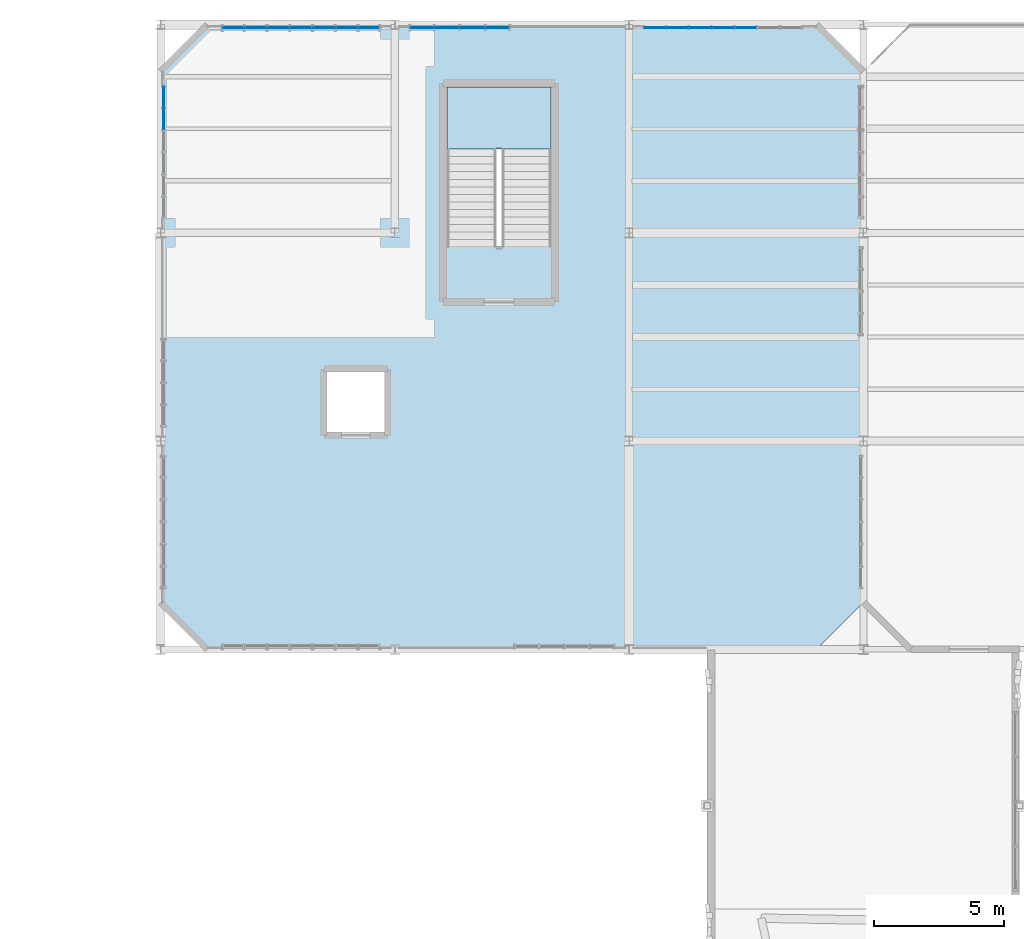
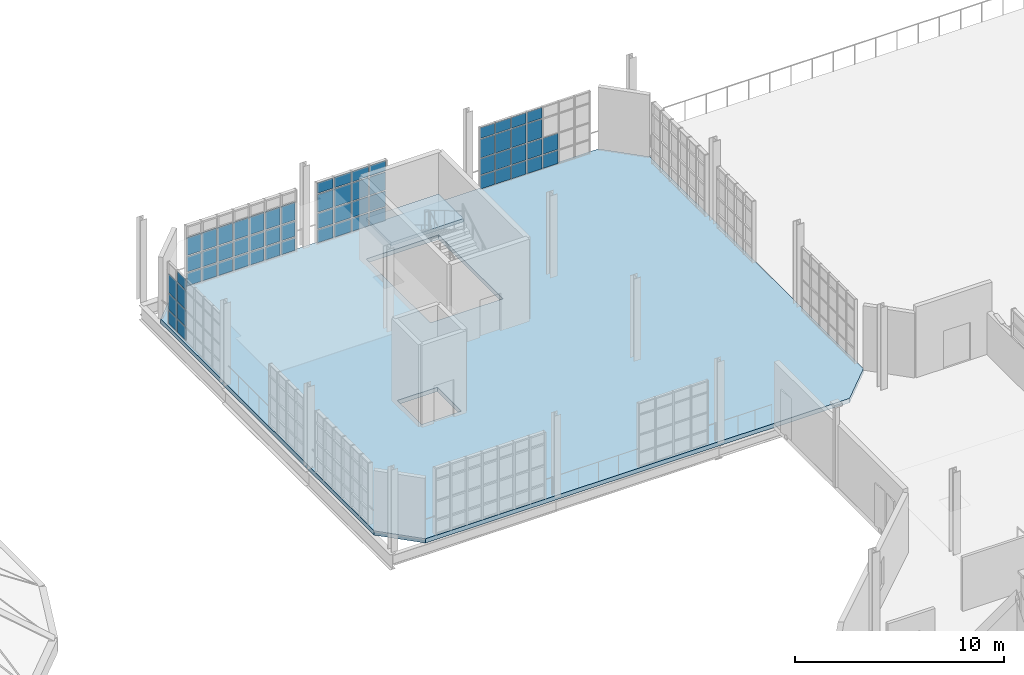
# One storey, part 72 of 85: 62 plates, 2 slabs, 5 elements without a shape of their own.
"""IFC4 building model written with IfcOpenShell, lengths in metres."""

import ifcopenshell
import ifcopenshell.guid

model = None  # the IFC model being written
_history = None  # IfcOwnerHistory: only IFC2X3 demands one
_inside = {}  # id of a spatial element -> (the spatial element, [elements in it])
_under = {}  # id of a project, library or spatial element -> (it, [spatial elements below it])
_declared = {}  # id of a project -> (the project, [libraries it declares])
_typed = {}  # id of a type object -> (the type object, [elements of that type])
_made_of = {}  # id of a material, layer set ... -> (it, [elements and type objects made of it])


def new_model(schema):
    """Start an empty IFC model of exactly this schema.

    Asked for "IFC4X3", IfcOpenShell would pick the latest addendum, in which some entities
    have other attributes; the version numbers below select the first issue.
    IFC2X3 requires an IfcOwnerHistory on every rooted entity: one is made here for all.
    """
    global model, _history
    if schema == "IFC4X3":
        model = ifcopenshell.file(schema_version=(4, 3, 0, 0))
    else:
        model = ifcopenshell.file(schema=schema)
    _inside.clear()
    _under.clear()
    _declared.clear()
    _typed.clear()
    _made_of.clear()
    _history = None
    if model.schema == "IFC2X3":
        org = make("IfcOrganization", Name="unknown")
        user = make(
            "IfcPersonAndOrganization",
            ThePerson=make("IfcPerson", FamilyName="unknown"),
            TheOrganization=org,
        )
        app = make(
            "IfcApplication",
            ApplicationDeveloper=org,
            Version="unknown",
            ApplicationFullName="unknown",
            ApplicationIdentifier="unknown",
        )
        _history = make(
            "IfcOwnerHistory",
            OwningUser=user,
            OwningApplication=app,
            ChangeAction="ADDED",
            CreationDate=0,
        )
    return model


def make(cls, **values):
    """One entity of the class cls with the attributes given. An attribute that is None is left unset."""
    return model.create_entity(
        cls, **{name: value for name, value in values.items() if value is not None}
    )


def rooted(cls, **values):
    """An entity with a GlobalId (a new one), such as an element, a storey or a relation."""
    return make(cls, GlobalId=ifcopenshell.guid.new(), OwnerHistory=_history, **values)


def si_unit(unit_type, name, prefix=None):
    """IfcSIUnit, for example si_unit("LENGTHUNIT", "METRE", prefix="MILLI")."""
    return make("IfcSIUnit", UnitType=unit_type, Prefix=prefix, Name=name)


def assignment(units):
    """IfcUnitAssignment: the units of a project."""
    return None if units is None else make("IfcUnitAssignment", Units=units)


def point(xyz):
    """IfcCartesianPoint."""
    return None if xyz is None else make("IfcCartesianPoint", Coordinates=xyz)


def direction(xyz):
    """IfcDirection."""
    return None if xyz is None else make("IfcDirection", DirectionRatios=xyz)


def frame(location, z_axis=None, x_axis=None):
    """IfcAxis2Placement3D, a coordinate frame: its origin and axes. An axis left out is left unset."""
    return make(
        "IfcAxis2Placement3D",
        Location=point(location),
        Axis=direction(z_axis),
        RefDirection=direction(x_axis),
    )


def frame_2d(location, x_axis=None):
    """IfcAxis2Placement2D, a coordinate frame in the plane: its origin and x axis."""
    return make(
        "IfcAxis2Placement2D", Location=point(location), RefDirection=direction(x_axis)
    )


def origin():
    """The frame at (0, 0, 0) with its axes left unset."""
    return frame((0.0, 0.0, 0.0))


def origin_2d():
    """The frame at (0, 0) in the plane with its x axis left unset."""
    return frame_2d((0.0, 0.0))


def place(relative_to, where):
    """IfcLocalPlacement: puts the frame where relative to a parent placement (None: the world)."""
    return make(
        "IfcLocalPlacement", PlacementRelTo=relative_to, RelativePlacement=where
    )


def context(
    kind, dimensions, precision=None, world=None, true_north=None, identifier=None
):
    """IfcGeometricRepresentationContext, for example the 3D "Model" context."""
    return make(
        "IfcGeometricRepresentationContext",
        ContextIdentifier=identifier,
        ContextType=kind,
        CoordinateSpaceDimension=dimensions,
        Precision=precision,
        WorldCoordinateSystem=world,
        TrueNorth=true_north,
    )


def subcontext(parent, identifier, kind, view, scale=None):
    """IfcGeometricRepresentationSubContext, for example "Body" below "Model"."""
    return make(
        "IfcGeometricRepresentationSubContext",
        ContextIdentifier=identifier,
        ContextType=kind,
        ParentContext=parent,
        TargetScale=scale,
        TargetView=view,
    )


def project(units=None, contexts=None):
    """IfcProject with its units and contexts."""
    return rooted(
        "IfcProject",
        Name="project",
        RepresentationContexts=contexts,
        UnitsInContext=assignment(units),
    )


def spatial(cls, under=None, at=None, **own):
    """A site, building, storey or space (cls), placed at a placement, below another one or the project."""
    s = rooted(cls, ObjectPlacement=at, **own)
    if under is not None:
        _under.setdefault(under.id(), (under, []))[1].append(s)
    return s


def polyline(points):
    """IfcPolyline through the points."""
    return make("IfcPolyline", Points=[point(p) for p in points])


def profile(cls, at=None, kind="AREA", **sizes):
    """A parametric profile (cls). Its sizes go by their IFC names, for example OverallWidth=200.0."""
    return make(cls, ProfileType=kind, Position=at, **sizes)


def rectangle(**sizes):
    """IfcRectangleProfileDef."""
    return profile("IfcRectangleProfileDef", **sizes)


def outline(outer, holes=None, kind="AREA"):
    """IfcArbitraryClosedProfileDef: a profile drawn as a closed curve; with holes, ...WithVoids."""
    if holes is None:
        return make("IfcArbitraryClosedProfileDef", ProfileType=kind, OuterCurve=outer)
    return make(
        "IfcArbitraryProfileDefWithVoids",
        ProfileType=kind,
        OuterCurve=outer,
        InnerCurves=holes,
    )


def extrude(swept, where, along, depth):
    """IfcExtrudedAreaSolid: the profile swept, set in the frame where, extruded along a direction by depth."""
    return make(
        "IfcExtrudedAreaSolid",
        SweptArea=swept,
        Position=where,
        ExtrudedDirection=direction(along),
        Depth=depth,
    )


def shape(context_of_items, identifier, shape_type, items):
    """IfcShapeRepresentation: the items that make up one representation, for example the "Body"."""
    return make(
        "IfcShapeRepresentation",
        ContextOfItems=context_of_items,
        RepresentationIdentifier=identifier,
        RepresentationType=shape_type,
        Items=items,
    )


def material(Name=None, Category=None):
    """IfcMaterial."""
    return make("IfcMaterial", Name=Name, Category=Category)


def layer(
    of_material, thickness, ventilated=None, Name=None, Category=None, Priority=None
):
    """IfcMaterialLayer: one layer of a wall or slab, of a material (None: an air gap)."""
    return make(
        "IfcMaterialLayer",
        Material=of_material,
        LayerThickness=thickness,
        IsVentilated=ventilated,
        Name=Name,
        Category=Category,
        Priority=Priority,
    )


def layer_set(layers, Name=None):
    """IfcMaterialLayerSet."""
    return make("IfcMaterialLayerSet", MaterialLayers=layers, LayerSetName=Name)


def made_of(thing, what):
    """Note that an element or type object is made of a material, layer set ...; save() writes the relation."""
    if what is not None:
        _made_of.setdefault(what.id(), (what, []))[1].append(thing)
    return thing


def type_object(cls, material=None, **own):
    """A type object (cls), such as IfcWallType, which elements share."""
    return made_of(rooted(cls, **own), material)


def element(
    cls,
    number,
    at=None,
    inside=None,
    cuts=None,
    type_object=None,
    material=None,
    context=None,
    identifier="Body",
    shape_type=None,
    held_by="IfcProductDefinitionShape",
    body=None,
    shapes=None,
    **own,
):
    """One element of the class cls, such as IfcWall. Its Tag is "e" and its number.

    at: its placement. inside: the storey or other place that contains it. cuts: it is an
    opening in that element (IfcRelVoidsElement). A single representation is given by context,
    identifier, shape_type and body (its items); several are given by shapes. held_by: the class
    of the entity that holds the representations. save() writes the other relations.
    """
    e = rooted(cls, Tag="e%d" % number, ObjectPlacement=at, **own)
    if body is not None:
        shapes = [shape(context, identifier, shape_type, body)]
    if shapes is not None:
        e.Representation = make(held_by, Representations=shapes)
    if inside is not None:
        _inside.setdefault(inside.id(), (inside, []))[1].append(e)
    if cuts is not None:
        rooted(
            "IfcRelVoidsElement", RelatingBuildingElement=cuts, RelatedOpeningElement=e
        )
    if type_object is not None:
        _typed.setdefault(type_object.id(), (type_object, []))[1].append(e)
    return made_of(e, material)


def aggregate(whole, parts):
    """IfcRelAggregates: a whole, such as a stair, and the parts it consists of."""
    return rooted("IfcRelAggregates", RelatingObject=whole, RelatedObjects=parts)


def save(model, path):
    """Write the relations noted so far, then the file.

    IfcRelAggregates (storeys below a building ...), IfcRelContainedInSpatialStructure (elements
    in a storey), IfcRelDefinesByType, IfcRelAssociatesMaterial and IfcRelDeclares: one each for
    every whole, place, type object, material and project.
    """
    for whole, parts in _under.values():
        aggregate(whole, parts)
    for where, things in _inside.values():
        rooted(
            "IfcRelContainedInSpatialStructure",
            RelatedElements=things,
            RelatingStructure=where,
        )
    for kind, things in _typed.values():
        rooted("IfcRelDefinesByType", RelatedObjects=things, RelatingType=kind)
    for what, things in _made_of.values():
        rooted("IfcRelAssociatesMaterial", RelatedObjects=things, RelatingMaterial=what)
    for by, libraries in _declared.values():
        rooted("IfcRelDeclares", RelatingContext=by, RelatedDefinitions=libraries)
    model.write(path)


model = new_model("IFC4")

# Units and contexts
model_context = context("Model", 3, precision=1e-05, world=origin(), true_north=direction((0.0, 1.0)))
body_context = subcontext(model_context, "Body", "Model", "MODEL_VIEW")
ifc_project = project(units=[si_unit("LENGTHUNIT", "METRE"), si_unit("AREAUNIT", "SQUARE_METRE"), si_unit("VOLUMEUNIT", "CUBIC_METRE"), si_unit("PLANEANGLEUNIT", "RADIAN"), si_unit("MASSUNIT", "GRAM", prefix="KILO"), si_unit("THERMODYNAMICTEMPERATUREUNIT", "KELVIN"), si_unit("POWERUNIT", "WATT")], contexts=[model_context])

# Site, building, storey
site_placement = place(None, origin())
site = spatial("IfcSite", under=ifc_project, at=site_placement, CompositionType="ELEMENT")
building_placement = place(site_placement, origin())
building = spatial("IfcBuilding", under=site, at=building_placement, Name="Zelmaris Science Centre", CompositionType="ELEMENT")
storey_placement = place(building_placement, frame((0.0, 0.0, 20.39990234375)))
storey = spatial("IfcBuildingStorey", under=building, at=storey_placement, Name="L04", CompositionType="ELEMENT", Elevation=20.39990234375)

# Curtain wall, plates
ifc_material_1 = material(Name="Anodised architectural aluminium 6063-T6", Category="aluminium")
ifc_layer_1 = layer(ifc_material_1, 0.18994140625, Name="Anodised architectural aluminium 6063-T6")
ifc_layer_set_1 = layer_set([ifc_layer_1], Name="Anodised architectural aluminium 6063-T6")
curtain_wall_type_1 = type_object("IfcCurtainWallType", Name="Curtain Wall CW-01", PredefinedType="USERDEFINED", material=ifc_layer_set_1)
curtain_wall_1_placement = place(storey_placement, origin())
curtain_wall_1 = element("IfcCurtainWall", 1, at=curtain_wall_1_placement, inside=storey, type_object=curtain_wall_type_1, Name="L04 Unitised curtain wall 341", ObjectType="GLAZED CURTAIN WALL", PredefinedType="USERDEFINED")
ifc_material_2 = material(Name="Laminated hurricane-rated low-E insulated glazing", Category="glass")
ifc_layer_2 = layer(ifc_material_2, 0.031982421875, Name="Laminated hurricane-rated low-E insulated glazing")
ifc_layer_set_2 = layer_set([ifc_layer_2], Name="Laminated hurricane-rated low-E insulated glazing")
plate_type_1 = type_object("IfcPlateType", Name="Curtain Glazing Panel CWP-1 32mm", PredefinedType="CURTAIN_PANEL", material=ifc_layer_set_2)
plate_1_placement = place(storey_placement, frame((56.795166015625, 87.8798828125, 0.05712890625), z_axis=(0.0, 0.0, 1.0), x_axis=(1.0, 0.0, 0.0)))
plate_1 = element("IfcPlate", 2, at=plate_1_placement, type_object=plate_type_1, Name="CW-01 panel 1.1", PredefinedType="CURTAIN_PANEL", context=body_context, shape_type="SweptSolid", body=[
    extrude(rectangle(XDim=0.766357421875, YDim=0.031982421875, at=origin_2d()), origin(), (0.0, 0.0, 1.0), 0.741943359375),
])
plate_2_placement = place(storey_placement, frame((56.795166015625, 87.8798828125, 0.87109375), z_axis=(0.0, 0.0, 1.0), x_axis=(1.0, 0.0, 0.0)))
plate_2 = element("IfcPlate", 3, at=plate_2_placement, type_object=plate_type_1, Name="CW-01 panel 1.2", PredefinedType="CURTAIN_PANEL", context=body_context, shape_type="SweptSolid", body=[
    extrude(rectangle(XDim=0.766357421875, YDim=0.031982421875, at=origin_2d()), origin(), (0.0, 0.0, 1.0), 0.885986328125),
])
plate_3_placement = place(storey_placement, frame((56.795166015625, 87.8798828125, 1.8291015625), z_axis=(0.0, 0.0, 1.0), x_axis=(1.0, 0.0, 0.0)))
plate_3 = element("IfcPlate", 4, at=plate_3_placement, type_object=plate_type_1, Name="CW-01 panel 1.3", PredefinedType="CURTAIN_PANEL", context=body_context, shape_type="SweptSolid", body=[
    extrude(rectangle(XDim=0.766357421875, YDim=0.031982421875, at=origin_2d()), origin(), (0.0, 0.0, 1.0), 1.035888671875),
])
plate_4_placement = place(storey_placement, frame((57.6513671875, 87.8798828125, 0.05712890625), z_axis=(0.0, 0.0, 1.0), x_axis=(1.0, 0.0, 0.0)))
plate_4 = element("IfcPlate", 5, at=plate_4_placement, type_object=plate_type_1, Name="CW-01 panel 2.1", PredefinedType="CURTAIN_PANEL", context=body_context, shape_type="SweptSolid", body=[
    extrude(rectangle(XDim=0.80224609375, YDim=0.031982421875, at=origin_2d()), origin(), (0.0, 0.0, 1.0), 0.741943359375),
])
plate_5_placement = place(storey_placement, frame((57.6513671875, 87.8798828125, 0.87109375), z_axis=(0.0, 0.0, 1.0), x_axis=(1.0, 0.0, 0.0)))
plate_5 = element("IfcPlate", 6, at=plate_5_placement, type_object=plate_type_1, Name="CW-01 panel 2.2", PredefinedType="CURTAIN_PANEL", context=body_context, shape_type="SweptSolid", body=[
    extrude(rectangle(XDim=0.80224609375, YDim=0.031982421875, at=origin_2d()), origin(), (0.0, 0.0, 1.0), 0.885986328125),
])
plate_6_placement = place(storey_placement, frame((57.6513671875, 87.8798828125, 1.8291015625), z_axis=(0.0, 0.0, 1.0), x_axis=(1.0, 0.0, 0.0)))
plate_6 = element("IfcPlate", 7, at=plate_6_placement, type_object=plate_type_1, Name="CW-01 panel 2.3", PredefinedType="CURTAIN_PANEL", context=body_context, shape_type="SweptSolid", body=[
    extrude(rectangle(XDim=0.80224609375, YDim=0.031982421875, at=origin_2d()), origin(), (0.0, 0.0, 1.0), 1.035888671875),
])
plate_7_placement = place(storey_placement, frame((58.525634765625, 87.8798828125, 0.05712890625), z_axis=(0.0, 0.0, 1.0), x_axis=(1.0, 0.0, 0.0)))
plate_7 = element("IfcPlate", 8, at=plate_7_placement, type_object=plate_type_1, Name="CW-01 panel 3.1", PredefinedType="CURTAIN_PANEL", context=body_context, shape_type="SweptSolid", body=[
    extrude(rectangle(XDim=0.80224609375, YDim=0.031982421875, at=origin_2d()), origin(), (0.0, 0.0, 1.0), 0.741943359375),
])
plate_8_placement = place(storey_placement, frame((58.525634765625, 87.8798828125, 0.87109375), z_axis=(0.0, 0.0, 1.0), x_axis=(1.0, 0.0, 0.0)))
plate_8 = element("IfcPlate", 9, at=plate_8_placement, type_object=plate_type_1, Name="CW-01 panel 3.2", PredefinedType="CURTAIN_PANEL", context=body_context, shape_type="SweptSolid", body=[
    extrude(rectangle(XDim=0.80224609375, YDim=0.031982421875, at=origin_2d()), origin(), (0.0, 0.0, 1.0), 0.885986328125),
])
plate_9_placement = place(storey_placement, frame((58.525634765625, 87.8798828125, 1.8291015625), z_axis=(0.0, 0.0, 1.0), x_axis=(1.0, 0.0, 0.0)))
plate_9 = element("IfcPlate", 10, at=plate_9_placement, type_object=plate_type_1, Name="CW-01 panel 3.3", PredefinedType="CURTAIN_PANEL", context=body_context, shape_type="SweptSolid", body=[
    extrude(rectangle(XDim=0.80224609375, YDim=0.031982421875, at=origin_2d()), origin(), (0.0, 0.0, 1.0), 1.035888671875),
])
plate_10_placement = place(storey_placement, frame((59.39990234375, 87.8798828125, 0.05712890625), z_axis=(0.0, 0.0, 1.0), x_axis=(1.0, 0.0, 0.0)))
plate_10 = element("IfcPlate", 11, at=plate_10_placement, type_object=plate_type_1, Name="CW-01 panel 4.1", PredefinedType="CURTAIN_PANEL", context=body_context, shape_type="SweptSolid", body=[
    extrude(rectangle(XDim=0.80224609375, YDim=0.031982421875, at=origin_2d()), origin(), (0.0, 0.0, 1.0), 0.741943359375),
])
plate_11_placement = place(storey_placement, frame((59.39990234375, 87.8798828125, 0.87109375), z_axis=(0.0, 0.0, 1.0), x_axis=(1.0, 0.0, 0.0)))
plate_11 = element("IfcPlate", 12, at=plate_11_placement, type_object=plate_type_1, Name="CW-01 panel 4.2", PredefinedType="CURTAIN_PANEL", context=body_context, shape_type="SweptSolid", body=[
    extrude(rectangle(XDim=0.80224609375, YDim=0.031982421875, at=origin_2d()), origin(), (0.0, 0.0, 1.0), 0.885986328125),
])
plate_12_placement = place(storey_placement, frame((59.39990234375, 87.8798828125, 1.8291015625), z_axis=(0.0, 0.0, 1.0), x_axis=(1.0, 0.0, 0.0)))
plate_12 = element("IfcPlate", 13, at=plate_12_placement, type_object=plate_type_1, Name="CW-01 panel 4.3", PredefinedType="CURTAIN_PANEL", context=body_context, shape_type="SweptSolid", body=[
    extrude(rectangle(XDim=0.80224609375, YDim=0.031982421875, at=origin_2d()), origin(), (0.0, 0.0, 1.0), 1.035888671875),
])
plate_13_placement = place(storey_placement, frame((60.274169921875, 87.8798828125, 0.05712890625), z_axis=(0.0, 0.0, 1.0), x_axis=(1.0, 0.0, 0.0)))
plate_13 = element("IfcPlate", 14, at=plate_13_placement, type_object=plate_type_1, Name="CW-01 panel 5.1", PredefinedType="CURTAIN_PANEL", context=body_context, shape_type="SweptSolid", body=[
    extrude(rectangle(XDim=0.80224609375, YDim=0.031982421875, at=origin_2d()), origin(), (0.0, 0.0, 1.0), 0.741943359375),
])
plate_14_placement = place(storey_placement, frame((60.274169921875, 87.8798828125, 0.87109375), z_axis=(0.0, 0.0, 1.0), x_axis=(1.0, 0.0, 0.0)))
plate_14 = element("IfcPlate", 15, at=plate_14_placement, type_object=plate_type_1, Name="CW-01 panel 5.2", PredefinedType="CURTAIN_PANEL", context=body_context, shape_type="SweptSolid", body=[
    extrude(rectangle(XDim=0.80224609375, YDim=0.031982421875, at=origin_2d()), origin(), (0.0, 0.0, 1.0), 0.885986328125),
])
plate_15_placement = place(storey_placement, frame((60.274169921875, 87.8798828125, 1.8291015625), z_axis=(0.0, 0.0, 1.0), x_axis=(1.0, 0.0, 0.0)))
plate_15 = element("IfcPlate", 16, at=plate_15_placement, type_object=plate_type_1, Name="CW-01 panel 5.3", PredefinedType="CURTAIN_PANEL", context=body_context, shape_type="SweptSolid", body=[
    extrude(rectangle(XDim=0.80224609375, YDim=0.031982421875, at=origin_2d()), origin(), (0.0, 0.0, 1.0), 1.035888671875),
])
plate_16_placement = place(storey_placement, frame((61.148681640625, 87.8798828125, 0.05712890625), z_axis=(0.0, 0.0, 1.0), x_axis=(1.0, 0.0, 0.0)))
plate_16 = element("IfcPlate", 17, at=plate_16_placement, type_object=plate_type_1, Name="CW-01 panel 6.1", PredefinedType="CURTAIN_PANEL", context=body_context, shape_type="SweptSolid", body=[
    extrude(rectangle(XDim=0.80224609375, YDim=0.031982421875, at=origin_2d()), origin(), (0.0, 0.0, 1.0), 0.741943359375),
])
plate_17_placement = place(storey_placement, frame((61.148681640625, 87.8798828125, 0.87109375), z_axis=(0.0, 0.0, 1.0), x_axis=(1.0, 0.0, 0.0)))
plate_17 = element("IfcPlate", 18, at=plate_17_placement, type_object=plate_type_1, Name="CW-01 panel 6.2", PredefinedType="CURTAIN_PANEL", context=body_context, shape_type="SweptSolid", body=[
    extrude(rectangle(XDim=0.80224609375, YDim=0.031982421875, at=origin_2d()), origin(), (0.0, 0.0, 1.0), 0.885986328125),
])
plate_18_placement = place(storey_placement, frame((61.148681640625, 87.8798828125, 1.8291015625), z_axis=(0.0, 0.0, 1.0), x_axis=(1.0, 0.0, 0.0)))
plate_18 = element("IfcPlate", 19, at=plate_18_placement, type_object=plate_type_1, Name="CW-01 panel 6.3", PredefinedType="CURTAIN_PANEL", context=body_context, shape_type="SweptSolid", body=[
    extrude(rectangle(XDim=0.80224609375, YDim=0.031982421875, at=origin_2d()), origin(), (0.0, 0.0, 1.0), 1.035888671875),
])
plate_19_placement = place(storey_placement, frame((62.0048828125, 87.8798828125, 0.05712890625), z_axis=(0.0, 0.0, 1.0), x_axis=(1.0, 0.0, 0.0)))
plate_19 = element("IfcPlate", 20, at=plate_19_placement, type_object=plate_type_1, Name="CW-01 panel 7.1", PredefinedType="CURTAIN_PANEL", context=body_context, shape_type="SweptSolid", body=[
    extrude(rectangle(XDim=0.766357421875, YDim=0.031982421875, at=origin_2d()), origin(), (0.0, 0.0, 1.0), 0.741943359375),
])
plate_20_placement = place(storey_placement, frame((62.0048828125, 87.8798828125, 0.87109375), z_axis=(0.0, 0.0, 1.0), x_axis=(1.0, 0.0, 0.0)))
plate_20 = element("IfcPlate", 21, at=plate_20_placement, type_object=plate_type_1, Name="CW-01 panel 7.2", PredefinedType="CURTAIN_PANEL", context=body_context, shape_type="SweptSolid", body=[
    extrude(rectangle(XDim=0.766357421875, YDim=0.031982421875, at=origin_2d()), origin(), (0.0, 0.0, 1.0), 0.885986328125),
])
plate_21_placement = place(storey_placement, frame((62.0048828125, 87.8798828125, 1.8291015625), z_axis=(0.0, 0.0, 1.0), x_axis=(1.0, 0.0, 0.0)))
plate_21 = element("IfcPlate", 22, at=plate_21_placement, type_object=plate_type_1, Name="CW-01 panel 7.3", PredefinedType="CURTAIN_PANEL", context=body_context, shape_type="SweptSolid", body=[
    extrude(rectangle(XDim=0.766357421875, YDim=0.031982421875, at=origin_2d()), origin(), (0.0, 0.0, 1.0), 1.035888671875),
])
aggregate(curtain_wall_1, [plate_1, plate_2, plate_3, plate_4, plate_5, plate_6, plate_7, plate_8, plate_9, plate_10, plate_11, plate_12, plate_13, plate_14, plate_15, plate_16, plate_17, plate_18, plate_19, plate_20, plate_21])

ifc_layer_3 = layer(ifc_material_1, 0.199951171875, Name="Anodised architectural aluminium 6063-T6")
ifc_layer_set_3 = layer_set([ifc_layer_3], Name="Anodised architectural aluminium 6063-T6")
curtain_wall_type_2 = type_object("IfcCurtainWallType", Name="Curtain Wall CW-02", PredefinedType="USERDEFINED", material=ifc_layer_set_3)
curtain_wall_2_placement = place(storey_placement, origin())
curtain_wall_2 = element("IfcCurtainWall", 23, at=curtain_wall_2_placement, inside=storey, type_object=curtain_wall_type_2, Name="L04 Unitised curtain wall 342", ObjectType="GLAZED CURTAIN WALL", PredefinedType="USERDEFINED")
ifc_layer_4 = layer(ifc_material_2, 0.028076171875, Name="Laminated hurricane-rated low-E insulated glazing")
ifc_layer_set_4 = layer_set([ifc_layer_4], Name="Laminated hurricane-rated low-E insulated glazing")
plate_type_2 = type_object("IfcPlateType", Name="Curtain Glazing Panel CWP-2 28mm", PredefinedType="CURTAIN_PANEL", material=ifc_layer_set_4)
plate_22_placement = place(storey_placement, frame((64.044189453125, 87.8798828125, 0.052001953125), z_axis=(0.0, 0.0, 1.0), x_axis=(1.0, 0.0, 0.0)))
plate_22 = element("IfcPlate", 24, at=plate_22_placement, type_object=plate_type_2, Name="CW-02 panel 1.1", PredefinedType="CURTAIN_PANEL", context=body_context, shape_type="SweptSolid", body=[
    extrude(rectangle(XDim=0.87451171875, YDim=0.028076171875, at=origin_2d()), origin(), (0.0, 0.0, 1.0), 0.74951171875),
])
plate_23_placement = place(storey_placement, frame((64.044189453125, 87.8798828125, 0.86865234375), z_axis=(0.0, 0.0, 1.0), x_axis=(1.0, 0.0, 0.0)))
plate_23 = element("IfcPlate", 25, at=plate_23_placement, type_object=plate_type_2, Name="CW-02 panel 1.2", PredefinedType="CURTAIN_PANEL", context=body_context, shape_type="SweptSolid", body=[
    extrude(rectangle(XDim=0.87451171875, YDim=0.028076171875, at=origin_2d()), origin(), (0.0, 0.0, 1.0), 0.89111328125),
])
plate_24_placement = place(storey_placement, frame((64.044189453125, 87.8798828125, 1.82666015625), z_axis=(0.0, 0.0, 1.0), x_axis=(1.0, 0.0, 0.0)))
plate_24 = element("IfcPlate", 26, at=plate_24_placement, type_object=plate_type_2, Name="CW-02 panel 1.3", PredefinedType="CURTAIN_PANEL", context=body_context, shape_type="SweptSolid", body=[
    extrude(rectangle(XDim=0.87451171875, YDim=0.028076171875, at=origin_2d()), origin(), (0.0, 0.0, 1.0), 1.041015625),
])
plate_25_placement = place(storey_placement, frame((64.044189453125, 87.8798828125, 2.9345703125), z_axis=(0.0, 0.0, 1.0), x_axis=(1.0, 0.0, 0.0)))
plate_25 = element("IfcPlate", 27, at=plate_25_placement, type_object=plate_type_2, Name="CW-02 panel 1.4", PredefinedType="CURTAIN_PANEL", context=body_context, shape_type="SweptSolid", body=[
    extrude(rectangle(XDim=0.87451171875, YDim=0.028076171875, at=origin_2d()), origin(), (0.0, 0.0, 1.0), 0.599609375),
])
plate_26_placement = place(storey_placement, frame((65.00244140625, 87.8798828125, 0.052001953125), z_axis=(0.0, 0.0, 1.0), x_axis=(1.0, 0.0, 0.0)))
plate_26 = element("IfcPlate", 28, at=plate_26_placement, type_object=plate_type_2, Name="CW-02 panel 2.1", PredefinedType="CURTAIN_PANEL", context=body_context, shape_type="SweptSolid", body=[
    extrude(rectangle(XDim=0.907958984375, YDim=0.028076171875, at=origin_2d()), origin(), (0.0, 0.0, 1.0), 0.74951171875),
])
plate_27_placement = place(storey_placement, frame((65.00244140625, 87.8798828125, 0.86865234375), z_axis=(0.0, 0.0, 1.0), x_axis=(1.0, 0.0, 0.0)))
plate_27 = element("IfcPlate", 29, at=plate_27_placement, type_object=plate_type_2, Name="CW-02 panel 2.2", PredefinedType="CURTAIN_PANEL", context=body_context, shape_type="SweptSolid", body=[
    extrude(rectangle(XDim=0.907958984375, YDim=0.028076171875, at=origin_2d()), origin(), (0.0, 0.0, 1.0), 0.89111328125),
])
plate_28_placement = place(storey_placement, frame((65.00244140625, 87.8798828125, 1.82666015625), z_axis=(0.0, 0.0, 1.0), x_axis=(1.0, 0.0, 0.0)))
plate_28 = element("IfcPlate", 30, at=plate_28_placement, type_object=plate_type_2, Name="CW-02 panel 2.3", PredefinedType="CURTAIN_PANEL", context=body_context, shape_type="SweptSolid", body=[
    extrude(rectangle(XDim=0.907958984375, YDim=0.028076171875, at=origin_2d()), origin(), (0.0, 0.0, 1.0), 1.041015625),
])
plate_29_placement = place(storey_placement, frame((65.00244140625, 87.8798828125, 2.9345703125), z_axis=(0.0, 0.0, 1.0), x_axis=(1.0, 0.0, 0.0)))
plate_29 = element("IfcPlate", 31, at=plate_29_placement, type_object=plate_type_2, Name="CW-02 panel 2.4", PredefinedType="CURTAIN_PANEL", context=body_context, shape_type="SweptSolid", body=[
    extrude(rectangle(XDim=0.907958984375, YDim=0.028076171875, at=origin_2d()), origin(), (0.0, 0.0, 1.0), 0.599609375),
])
plate_30_placement = place(storey_placement, frame((65.9775390625, 87.8798828125, 0.052001953125), z_axis=(0.0, 0.0, 1.0), x_axis=(1.0, 0.0, 0.0)))
plate_30 = element("IfcPlate", 32, at=plate_30_placement, type_object=plate_type_2, Name="CW-02 panel 3.1", PredefinedType="CURTAIN_PANEL", context=body_context, shape_type="SweptSolid", body=[
    extrude(rectangle(XDim=0.907958984375, YDim=0.028076171875, at=origin_2d()), origin(), (0.0, 0.0, 1.0), 0.74951171875),
])
plate_31_placement = place(storey_placement, frame((65.9775390625, 87.8798828125, 0.86865234375), z_axis=(0.0, 0.0, 1.0), x_axis=(1.0, 0.0, 0.0)))
plate_31 = element("IfcPlate", 33, at=plate_31_placement, type_object=plate_type_2, Name="CW-02 panel 3.2", PredefinedType="CURTAIN_PANEL", context=body_context, shape_type="SweptSolid", body=[
    extrude(rectangle(XDim=0.907958984375, YDim=0.028076171875, at=origin_2d()), origin(), (0.0, 0.0, 1.0), 0.89111328125),
])
plate_32_placement = place(storey_placement, frame((65.9775390625, 87.8798828125, 1.82666015625), z_axis=(0.0, 0.0, 1.0), x_axis=(1.0, 0.0, 0.0)))
plate_32 = element("IfcPlate", 34, at=plate_32_placement, type_object=plate_type_2, Name="CW-02 panel 3.3", PredefinedType="CURTAIN_PANEL", context=body_context, shape_type="SweptSolid", body=[
    extrude(rectangle(XDim=0.907958984375, YDim=0.028076171875, at=origin_2d()), origin(), (0.0, 0.0, 1.0), 1.041015625),
])
plate_33_placement = place(storey_placement, frame((65.9775390625, 87.8798828125, 2.9345703125), z_axis=(0.0, 0.0, 1.0), x_axis=(1.0, 0.0, 0.0)))
plate_33 = element("IfcPlate", 35, at=plate_33_placement, type_object=plate_type_2, Name="CW-02 panel 3.4", PredefinedType="CURTAIN_PANEL", context=body_context, shape_type="SweptSolid", body=[
    extrude(rectangle(XDim=0.907958984375, YDim=0.028076171875, at=origin_2d()), origin(), (0.0, 0.0, 1.0), 0.599609375),
])
plate_34_placement = place(storey_placement, frame((66.935791015625, 87.8798828125, 0.052001953125), z_axis=(0.0, 0.0, 1.0), x_axis=(1.0, 0.0, 0.0)))
plate_34 = element("IfcPlate", 36, at=plate_34_placement, type_object=plate_type_2, Name="CW-02 panel 4.1", PredefinedType="CURTAIN_PANEL", context=body_context, shape_type="SweptSolid", body=[
    extrude(rectangle(XDim=0.87451171875, YDim=0.028076171875, at=origin_2d()), origin(), (0.0, 0.0, 1.0), 0.74951171875),
])
plate_35_placement = place(storey_placement, frame((66.935791015625, 87.8798828125, 0.86865234375), z_axis=(0.0, 0.0, 1.0), x_axis=(1.0, 0.0, 0.0)))
plate_35 = element("IfcPlate", 37, at=plate_35_placement, type_object=plate_type_2, Name="CW-02 panel 4.2", PredefinedType="CURTAIN_PANEL", context=body_context, shape_type="SweptSolid", body=[
    extrude(rectangle(XDim=0.87451171875, YDim=0.028076171875, at=origin_2d()), origin(), (0.0, 0.0, 1.0), 0.89111328125),
])
plate_36_placement = place(storey_placement, frame((66.935791015625, 87.8798828125, 1.82666015625), z_axis=(0.0, 0.0, 1.0), x_axis=(1.0, 0.0, 0.0)))
plate_36 = element("IfcPlate", 38, at=plate_36_placement, type_object=plate_type_2, Name="CW-02 panel 4.3", PredefinedType="CURTAIN_PANEL", context=body_context, shape_type="SweptSolid", body=[
    extrude(rectangle(XDim=0.87451171875, YDim=0.028076171875, at=origin_2d()), origin(), (0.0, 0.0, 1.0), 1.041015625),
])
plate_37_placement = place(storey_placement, frame((66.935791015625, 87.8798828125, 2.9345703125), z_axis=(0.0, 0.0, 1.0), x_axis=(1.0, 0.0, 0.0)))
plate_37 = element("IfcPlate", 39, at=plate_37_placement, type_object=plate_type_2, Name="CW-02 panel 4.4", PredefinedType="CURTAIN_PANEL", context=body_context, shape_type="SweptSolid", body=[
    extrude(rectangle(XDim=0.87451171875, YDim=0.028076171875, at=origin_2d()), origin(), (0.0, 0.0, 1.0), 0.599609375),
])
aggregate(curtain_wall_2, [plate_22, plate_23, plate_24, plate_25, plate_26, plate_27, plate_28, plate_29, plate_30, plate_31, plate_32, plate_33, plate_34, plate_35, plate_36, plate_37])

ifc_layer_5 = layer(ifc_material_1, 0.219970703125, Name="Anodised architectural aluminium 6063-T6")
ifc_layer_set_5 = layer_set([ifc_layer_5], Name="Anodised architectural aluminium 6063-T6")
curtain_wall_type_3 = type_object("IfcCurtainWallType", Name="Curtain Wall CW-04", PredefinedType="USERDEFINED", material=ifc_layer_set_5)
curtain_wall_3_placement = place(storey_placement, origin())
curtain_wall_3 = element("IfcCurtainWall", 40, at=curtain_wall_3_placement, inside=storey, type_object=curtain_wall_type_3, Name="L04 Unitised curtain wall 340", ObjectType="GLAZED CURTAIN WALL", PredefinedType="USERDEFINED")
ifc_layer_6 = layer(ifc_material_2, 0.02392578125, Name="Laminated hurricane-rated low-E insulated glazing")
ifc_layer_set_6 = layer_set([ifc_layer_6], Name="Laminated hurricane-rated low-E insulated glazing")
plate_type_3 = type_object("IfcPlateType", Name="Curtain Glazing Panel CWP-4 24mm", PredefinedType="CURTAIN_PANEL", material=ifc_layer_set_6)
plate_38_placement = place(storey_placement, frame((54.1201171875, 84.3798828125, 0.037109375), z_axis=(0.0, 0.0, 1.0), x_axis=(0.0, 1.0, 0.0)))
plate_38 = element("IfcPlate", 41, at=plate_38_placement, type_object=plate_type_3, Name="CW-04 panel 5.1", PredefinedType="CURTAIN_PANEL", context=body_context, shape_type="SweptSolid", body=[
    extrude(rectangle(XDim=0.80126953125, YDim=0.02392578125, at=origin_2d()), origin(), (0.0, 0.0, 1.0), 0.77197265625),
])
plate_39_placement = place(storey_placement, frame((54.1201171875, 84.3798828125, 0.861083984375), z_axis=(0.0, 0.0, 1.0), x_axis=(0.0, 1.0, 0.0)))
plate_39 = element("IfcPlate", 42, at=plate_39_placement, type_object=plate_type_3, Name="CW-04 panel 5.2", PredefinedType="CURTAIN_PANEL", context=body_context, shape_type="SweptSolid", body=[
    extrude(rectangle(XDim=0.80126953125, YDim=0.02392578125, at=origin_2d()), origin(), (0.0, 0.0, 1.0), 0.9326171875),
])
plate_40_placement = place(storey_placement, frame((54.1201171875, 84.3798828125, 1.845703125), z_axis=(0.0, 0.0, 1.0), x_axis=(0.0, 1.0, 0.0)))
plate_40 = element("IfcPlate", 43, at=plate_40_placement, type_object=plate_type_3, Name="CW-04 panel 5.3", PredefinedType="CURTAIN_PANEL", context=body_context, shape_type="SweptSolid", body=[
    extrude(rectangle(XDim=0.80126953125, YDim=0.02392578125, at=origin_2d()), origin(), (0.0, 0.0, 1.0), 1.08251953125),
])
plate_41_placement = place(storey_placement, frame((54.1201171875, 84.3798828125, 2.97998046875), z_axis=(0.0, 0.0, 1.0), x_axis=(0.0, 1.0, 0.0)))
plate_41 = element("IfcPlate", 44, at=plate_41_placement, type_object=plate_type_3, Name="CW-04 panel 5.4", PredefinedType="CURTAIN_PANEL", context=body_context, shape_type="SweptSolid", body=[
    extrude(rectangle(XDim=0.80126953125, YDim=0.02392578125, at=origin_2d()), origin(), (0.0, 0.0, 1.0), 0.6220703125),
])
plate_42_placement = place(storey_placement, frame((54.1201171875, 85.22021484375, 0.037109375), z_axis=(0.0, 0.0, 1.0), x_axis=(0.0, 1.0, 0.0)))
plate_42 = element("IfcPlate", 45, at=plate_42_placement, type_object=plate_type_3, Name="CW-04 panel 6.1", PredefinedType="CURTAIN_PANEL", context=body_context, shape_type="SweptSolid", body=[
    extrude(rectangle(XDim=0.775390625, YDim=0.02392578125, at=origin_2d()), origin(), (0.0, 0.0, 1.0), 0.77197265625),
])
plate_43_placement = place(storey_placement, frame((54.1201171875, 85.22021484375, 0.861083984375), z_axis=(0.0, 0.0, 1.0), x_axis=(0.0, 1.0, 0.0)))
plate_43 = element("IfcPlate", 46, at=plate_43_placement, type_object=plate_type_3, Name="CW-04 panel 6.2", PredefinedType="CURTAIN_PANEL", context=body_context, shape_type="SweptSolid", body=[
    extrude(rectangle(XDim=0.775390625, YDim=0.02392578125, at=origin_2d()), origin(), (0.0, 0.0, 1.0), 0.9326171875),
])
plate_44_placement = place(storey_placement, frame((54.1201171875, 85.22021484375, 1.845703125), z_axis=(0.0, 0.0, 1.0), x_axis=(0.0, 1.0, 0.0)))
plate_44 = element("IfcPlate", 47, at=plate_44_placement, type_object=plate_type_3, Name="CW-04 panel 6.3", PredefinedType="CURTAIN_PANEL", context=body_context, shape_type="SweptSolid", body=[
    extrude(rectangle(XDim=0.775390625, YDim=0.02392578125, at=origin_2d()), origin(), (0.0, 0.0, 1.0), 1.08251953125),
])
aggregate(curtain_wall_3, [plate_38, plate_39, plate_40, plate_41, plate_42, plate_43, plate_44])

curtain_wall_4_placement = place(storey_placement, origin())
curtain_wall_4 = element("IfcCurtainWall", 48, at=curtain_wall_4_placement, inside=storey, type_object=curtain_wall_type_3, Name="L04 Unitised curtain wall 344", ObjectType="GLAZED CURTAIN WALL", PredefinedType="USERDEFINED")
plate_45_placement = place(storey_placement, frame((72.990234375, 87.8798828125, 0.037109375), z_axis=(0.0, 0.0, 1.0), x_axis=(1.0, 0.0, 0.0)))
plate_45 = element("IfcPlate", 49, at=plate_45_placement, type_object=plate_type_3, Name="CW-04 panel 1.1", PredefinedType="CURTAIN_PANEL", context=body_context, shape_type="SweptSolid", body=[
    extrude(rectangle(XDim=0.79638671875, YDim=0.02392578125, at=origin_2d()), origin(), (0.0, 0.0, 1.0), 0.77197265625),
])
plate_46_placement = place(storey_placement, frame((72.990234375, 87.8798828125, 0.861083984375), z_axis=(0.0, 0.0, 1.0), x_axis=(1.0, 0.0, 0.0)))
plate_46 = element("IfcPlate", 50, at=plate_46_placement, type_object=plate_type_3, Name="CW-04 panel 1.2", PredefinedType="CURTAIN_PANEL", context=body_context, shape_type="SweptSolid", body=[
    extrude(rectangle(XDim=0.79638671875, YDim=0.02392578125, at=origin_2d()), origin(), (0.0, 0.0, 1.0), 0.9375),
])
plate_47_placement = place(storey_placement, frame((72.990234375, 87.8798828125, 1.8505859375), z_axis=(0.0, 0.0, 1.0), x_axis=(1.0, 0.0, 0.0)))
plate_47 = element("IfcPlate", 51, at=plate_47_placement, type_object=plate_type_3, Name="CW-04 panel 1.3", PredefinedType="CURTAIN_PANEL", context=body_context, shape_type="SweptSolid", body=[
    extrude(rectangle(XDim=0.79638671875, YDim=0.02392578125, at=origin_2d()), origin(), (0.0, 0.0, 1.0), 1.08740234375),
])
plate_48_placement = place(storey_placement, frame((72.990234375, 87.8798828125, 2.989990234375), z_axis=(0.0, 0.0, 1.0), x_axis=(1.0, 0.0, 0.0)))
plate_48 = element("IfcPlate", 52, at=plate_48_placement, type_object=plate_type_3, Name="CW-04 panel 1.4", PredefinedType="CURTAIN_PANEL", context=body_context, shape_type="SweptSolid", body=[
    extrude(rectangle(XDim=0.79638671875, YDim=0.02392578125, at=origin_2d()), origin(), (0.0, 0.0, 1.0), 0.6220703125),
])
plate_49_placement = place(storey_placement, frame((73.851318359375, 87.8798828125, 0.037109375), z_axis=(0.0, 0.0, 1.0), x_axis=(1.0, 0.0, 0.0)))
plate_49 = element("IfcPlate", 53, at=plate_49_placement, type_object=plate_type_3, Name="CW-04 panel 2.1", PredefinedType="CURTAIN_PANEL", context=body_context, shape_type="SweptSolid", body=[
    extrude(rectangle(XDim=0.822265625, YDim=0.02392578125, at=origin_2d()), origin(), (0.0, 0.0, 1.0), 0.77197265625),
])
plate_50_placement = place(storey_placement, frame((73.851318359375, 87.8798828125, 0.861083984375), z_axis=(0.0, 0.0, 1.0), x_axis=(1.0, 0.0, 0.0)))
plate_50 = element("IfcPlate", 54, at=plate_50_placement, type_object=plate_type_3, Name="CW-04 panel 2.2", PredefinedType="CURTAIN_PANEL", context=body_context, shape_type="SweptSolid", body=[
    extrude(rectangle(XDim=0.822265625, YDim=0.02392578125, at=origin_2d()), origin(), (0.0, 0.0, 1.0), 0.9375),
])
plate_51_placement = place(storey_placement, frame((73.851318359375, 87.8798828125, 1.8505859375), z_axis=(0.0, 0.0, 1.0), x_axis=(1.0, 0.0, 0.0)))
plate_51 = element("IfcPlate", 55, at=plate_51_placement, type_object=plate_type_3, Name="CW-04 panel 2.3", PredefinedType="CURTAIN_PANEL", context=body_context, shape_type="SweptSolid", body=[
    extrude(rectangle(XDim=0.822265625, YDim=0.02392578125, at=origin_2d()), origin(), (0.0, 0.0, 1.0), 1.08740234375),
])
plate_52_placement = place(storey_placement, frame((73.851318359375, 87.8798828125, 2.989990234375), z_axis=(0.0, 0.0, 1.0), x_axis=(1.0, 0.0, 0.0)))
plate_52 = element("IfcPlate", 56, at=plate_52_placement, type_object=plate_type_3, Name="CW-04 panel 2.4", PredefinedType="CURTAIN_PANEL", context=body_context, shape_type="SweptSolid", body=[
    extrude(rectangle(XDim=0.822265625, YDim=0.02392578125, at=origin_2d()), origin(), (0.0, 0.0, 1.0), 0.6220703125),
])
plate_53_placement = place(storey_placement, frame((74.725830078125, 87.8798828125, 0.037109375), z_axis=(0.0, 0.0, 1.0), x_axis=(1.0, 0.0, 0.0)))
plate_53 = element("IfcPlate", 57, at=plate_53_placement, type_object=plate_type_3, Name="CW-04 panel 3.1", PredefinedType="CURTAIN_PANEL", context=body_context, shape_type="SweptSolid", body=[
    extrude(rectangle(XDim=0.822265625, YDim=0.02392578125, at=origin_2d()), origin(), (0.0, 0.0, 1.0), 0.77197265625),
])
plate_54_placement = place(storey_placement, frame((74.725830078125, 87.8798828125, 0.861083984375), z_axis=(0.0, 0.0, 1.0), x_axis=(1.0, 0.0, 0.0)))
plate_54 = element("IfcPlate", 58, at=plate_54_placement, type_object=plate_type_3, Name="CW-04 panel 3.2", PredefinedType="CURTAIN_PANEL", context=body_context, shape_type="SweptSolid", body=[
    extrude(rectangle(XDim=0.822265625, YDim=0.02392578125, at=origin_2d()), origin(), (0.0, 0.0, 1.0), 0.9375),
])
plate_55_placement = place(storey_placement, frame((74.725830078125, 87.8798828125, 1.8505859375), z_axis=(0.0, 0.0, 1.0), x_axis=(1.0, 0.0, 0.0)))
plate_55 = element("IfcPlate", 59, at=plate_55_placement, type_object=plate_type_3, Name="CW-04 panel 3.3", PredefinedType="CURTAIN_PANEL", context=body_context, shape_type="SweptSolid", body=[
    extrude(rectangle(XDim=0.822265625, YDim=0.02392578125, at=origin_2d()), origin(), (0.0, 0.0, 1.0), 1.08740234375),
])
plate_56_placement = place(storey_placement, frame((74.725830078125, 87.8798828125, 2.989990234375), z_axis=(0.0, 0.0, 1.0), x_axis=(1.0, 0.0, 0.0)))
plate_56 = element("IfcPlate", 60, at=plate_56_placement, type_object=plate_type_3, Name="CW-04 panel 3.4", PredefinedType="CURTAIN_PANEL", context=body_context, shape_type="SweptSolid", body=[
    extrude(rectangle(XDim=0.822265625, YDim=0.02392578125, at=origin_2d()), origin(), (0.0, 0.0, 1.0), 0.6220703125),
])
plate_57_placement = place(storey_placement, frame((75.60009765625, 87.8798828125, 0.037109375), z_axis=(0.0, 0.0, 1.0), x_axis=(1.0, 0.0, 0.0)))
plate_57 = element("IfcPlate", 61, at=plate_57_placement, type_object=plate_type_3, Name="CW-04 panel 4.1", PredefinedType="CURTAIN_PANEL", context=body_context, shape_type="SweptSolid", body=[
    extrude(rectangle(XDim=0.822265625, YDim=0.02392578125, at=origin_2d()), origin(), (0.0, 0.0, 1.0), 0.77197265625),
])
plate_58_placement = place(storey_placement, frame((75.60009765625, 87.8798828125, 0.861083984375), z_axis=(0.0, 0.0, 1.0), x_axis=(1.0, 0.0, 0.0)))
plate_58 = element("IfcPlate", 62, at=plate_58_placement, type_object=plate_type_3, Name="CW-04 panel 4.2", PredefinedType="CURTAIN_PANEL", context=body_context, shape_type="SweptSolid", body=[
    extrude(rectangle(XDim=0.822265625, YDim=0.02392578125, at=origin_2d()), origin(), (0.0, 0.0, 1.0), 0.9375),
])
plate_59_placement = place(storey_placement, frame((75.60009765625, 87.8798828125, 1.8505859375), z_axis=(0.0, 0.0, 1.0), x_axis=(1.0, 0.0, 0.0)))
plate_59 = element("IfcPlate", 63, at=plate_59_placement, type_object=plate_type_3, Name="CW-04 panel 4.3", PredefinedType="CURTAIN_PANEL", context=body_context, shape_type="SweptSolid", body=[
    extrude(rectangle(XDim=0.822265625, YDim=0.02392578125, at=origin_2d()), origin(), (0.0, 0.0, 1.0), 1.08740234375),
])
plate_60_placement = place(storey_placement, frame((75.60009765625, 87.8798828125, 2.989990234375), z_axis=(0.0, 0.0, 1.0), x_axis=(1.0, 0.0, 0.0)))
plate_60 = element("IfcPlate", 64, at=plate_60_placement, type_object=plate_type_3, Name="CW-04 panel 4.4", PredefinedType="CURTAIN_PANEL", context=body_context, shape_type="SweptSolid", body=[
    extrude(rectangle(XDim=0.822265625, YDim=0.02392578125, at=origin_2d()), origin(), (0.0, 0.0, 1.0), 0.6220703125),
])
plate_61_placement = place(storey_placement, frame((76.474365234375, 87.8798828125, 0.037109375), z_axis=(0.0, 0.0, 1.0), x_axis=(1.0, 0.0, 0.0)))
plate_61 = element("IfcPlate", 65, at=plate_61_placement, type_object=plate_type_3, Name="CW-04 panel 5.1", PredefinedType="CURTAIN_PANEL", context=body_context, shape_type="SweptSolid", body=[
    extrude(rectangle(XDim=0.822265625, YDim=0.02392578125, at=origin_2d()), origin(), (0.0, 0.0, 1.0), 0.77197265625),
])
plate_62_placement = place(storey_placement, frame((76.474365234375, 87.8798828125, 0.861083984375), z_axis=(0.0, 0.0, 1.0), x_axis=(1.0, 0.0, 0.0)))
plate_62 = element("IfcPlate", 66, at=plate_62_placement, type_object=plate_type_3, Name="CW-04 panel 5.2", PredefinedType="CURTAIN_PANEL", context=body_context, shape_type="SweptSolid", body=[
    extrude(rectangle(XDim=0.822265625, YDim=0.02392578125, at=origin_2d()), origin(), (0.0, 0.0, 1.0), 0.9375),
])
aggregate(curtain_wall_4, [plate_45, plate_46, plate_47, plate_48, plate_49, plate_50, plate_51, plate_52, plate_53, plate_54, plate_55, plate_56, plate_57, plate_58, plate_59, plate_60, plate_61, plate_62])

# Slab
ifc_material_3 = material(Name="Concrete C35/45", Category="concrete")
ifc_layer_7 = layer(ifc_material_3, 0.25, Name="Concrete C35/45")
ifc_layer_set_7 = layer_set([ifc_layer_7], Name="Concrete C35/45")
slab_type_1 = type_object("IfcSlabType", Name="Slab SL-FL250 250mm", PredefinedType="FLOOR", material=ifc_layer_set_7)
slab_1_placement = place(storey_placement, frame((0.0, 0.0, -0.25)))
element("IfcSlab", 67, at=slab_1_placement, inside=storey, type_object=slab_type_1, Name="L04 Astronomy pavilion floor slab", PredefinedType="FLOOR", context=body_context, shape_type="SweptSolid", body=[
    extrude(outline(polyline([(54.0, 65.800048828125), (54.0, 86.199951171875), (55.800048828125, 88.0), (79.199951171875, 88.0), (81.0, 86.199951171875), (81.0, 65.800048828125), (79.199951171875, 64.0), (55.800048828125, 64.0), (54.0, 65.800048828125)]), holes=[polyline([(69.0, 79.469970703125), (69.0, 85.60009765625), (65.0, 85.60009765625), (65.0, 79.469970703125), (69.0, 79.469970703125)]), polyline([(60.39990234375, 72.35009765625), (62.60009765625, 72.35009765625), (62.60009765625, 74.64990234375), (60.39990234375, 74.64990234375), (60.39990234375, 72.35009765625)])]), origin(), (0.0, 0.0, 1.0), 0.25),
])

# Stair, slab
ifc_material_4 = material(Name="Concrete C40/50", Category="concrete")
stair_type = type_object("IfcStairType", Name="Exit Stair ST-B W1900", PredefinedType="HALF_TURN_STAIR", material=ifc_material_4)
stair_placement = place(storey_placement, origin())
stair = element("IfcStair", 68, at=stair_placement, inside=storey, type_object=stair_type, Name="L04 Exit Stair Core ST-3", PredefinedType="HALF_TURN_STAIR")
ifc_layer_8 = layer(ifc_material_3, 0.18994140625, Name="Concrete C35/45")
ifc_layer_set_8 = layer_set([ifc_layer_8], Name="Concrete C35/45")
slab_type_2 = type_object("IfcSlabType", Name="Slab SL-LD190 190mm", PredefinedType="LANDING", material=ifc_layer_set_8)
slab_2_placement = place(storey_placement, frame((0.0, 0.0, 2.210205078125)))
slab_2 = element("IfcSlab", 69, at=slab_2_placement, type_object=slab_type_2, Name="ST-3 landing 1", PredefinedType="LANDING", context=body_context, shape_type="SweptSolid", body=[
    extrude(outline(polyline([(69.0, 83.219970703125), (69.0, 85.60009765625), (65.0, 85.60009765625), (65.0, 83.219970703125), (69.0, 83.219970703125)])), origin(), (0.0, 0.0, 1.0), 0.18994140625),
])
aggregate(stair, [slab_2])

save(model, "model.ifc")
